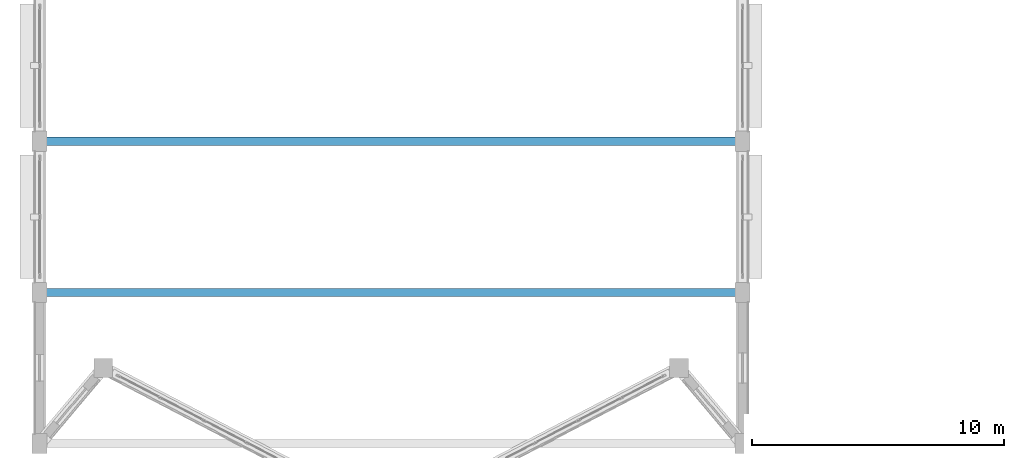
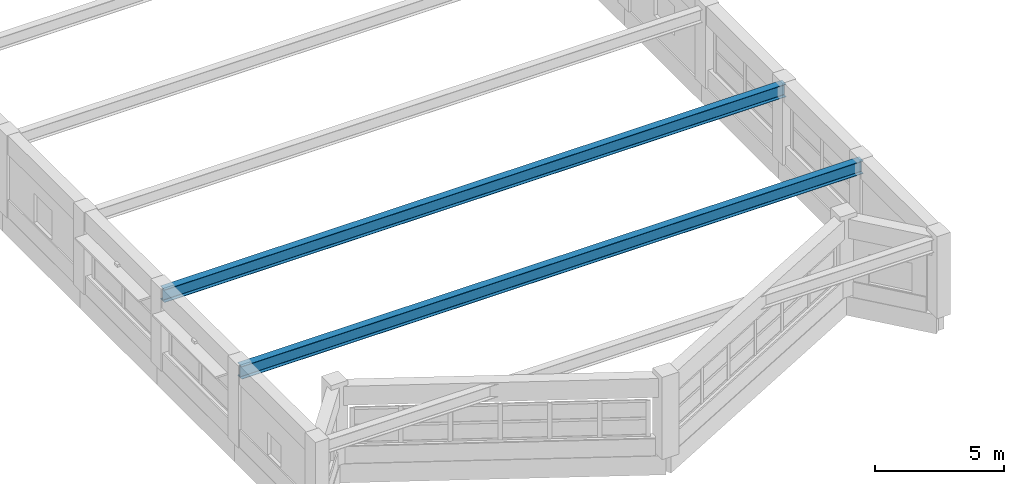
# One storey, part 7 of 108: 2 beams.
"""IFC4 building model written with IfcOpenShell, lengths in metres."""

from ifc_helpers import new_model, si_unit, direction, frame, origin, origin_2d, place, context, subcontext, project, spatial, i_section, extrude, material, material_profile, profile_set, type_object, element, save


model = new_model("IFC4")

# Units and contexts
model_context = context("Model", 3, precision=1e-05, world=origin(), true_north=direction((0.0, 1.0)))
body_context = subcontext(model_context, "Body", "Model", "MODEL_VIEW")
ifc_project = project(units=[si_unit("LENGTHUNIT", "METRE"), si_unit("AREAUNIT", "SQUARE_METRE"), si_unit("VOLUMEUNIT", "CUBIC_METRE"), si_unit("PLANEANGLEUNIT", "RADIAN"), si_unit("MASSUNIT", "GRAM", prefix="KILO")], contexts=[model_context])

# Site, building, storey
site_placement = place(None, origin())
site = spatial("IfcSite", under=ifc_project, at=site_placement, CompositionType="ELEMENT")
building_placement = place(site_placement, origin())
building = spatial("IfcBuilding", under=site, at=building_placement, Name="Vespera Passage Community Centre", CompositionType="ELEMENT")
storey_placement = place(building_placement, frame((0.0, 0.0, 12.60009765625)))
storey = spatial("IfcBuildingStorey", under=building, at=storey_placement, Name="L03", CompositionType="ELEMENT", Elevation=12.60009765625)

# Beams
ifc_material = material(Name="Steel ASTM A992 Grade 50", Category="steel")
ifc_material_profile = material_profile(ifc_material, i_section(OverallWidth=0.323974609375, OverallDepth=0.611083984375, WebThickness=0.0126953125, FlangeThickness=0.01904296875, FilletRadius=0.0126953125, at=origin_2d()), Name="W24X104")
ifc_profile_set = profile_set([ifc_material_profile], Name="Steel ASTM A992 Grade 50")
beam_type = type_object("IfcBeamType", Name="BM-G-W24X104", PredefinedType="BEAM", material=ifc_profile_set)
for number, where, z_axis, x_axis, name in (
    (1, (4.050048828125, 13.0, 3.314453125), (1.0, 0.0, 0.0), (0.0, 1.0, 0.0), "Main Hall Vault Thrust Tie 2"),
    (2, (4.050048828125, 19.0, 3.314453125), (1.0, 0.0, 0.0), (0.0, 1.0, 0.0), "Main Hall Vault Thrust Tie 3"),
):
    element("IfcBeam", number, at=place(storey_placement, frame(where, z_axis=z_axis, x_axis=x_axis)), inside=storey, type_object=beam_type, Name=name, PredefinedType="BEAM", context=body_context, shape_type="SweptSolid", body=[
        extrude(i_section(OverallWidth=0.323974609375, OverallDepth=0.611083984375, WebThickness=0.0126953125, FlangeThickness=0.01904296875, FilletRadius=0.0126953125, at=origin_2d()), origin(), (0.0, 0.0, 1.0), 27.89990234375),
    ])

save(model, "model.ifc")
